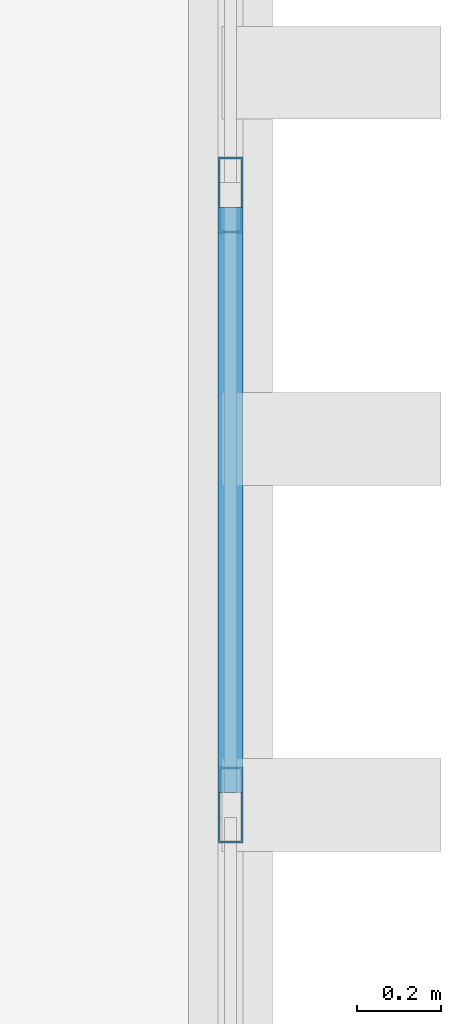
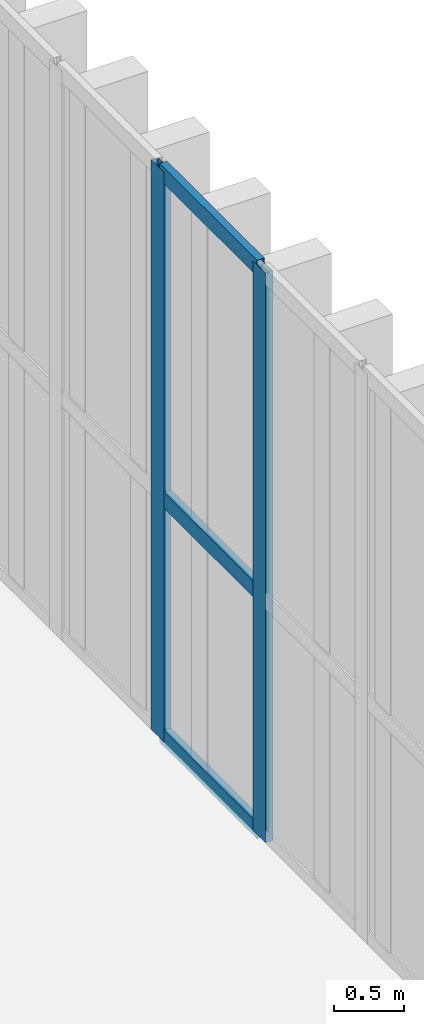
# One storey, part 135 of 211: 5 members, 1 element without a shape of its own.
"""IFC4 building model written with IfcOpenShell, lengths in metres."""

from ifc_helpers import new_model, si_unit, direction, frame, origin, origin_2d, place, context, subcontext, project, spatial, hollow_rectangle, extrude, material, layer, layer_set, material_profile, profile_set, type_object, element, aggregate, save


model = new_model("IFC4")

# Units and contexts
model_context = context("Model", 3, precision=1e-05, world=origin(), true_north=direction((0.0, 1.0)))
body_context = subcontext(model_context, "Body", "Model", "MODEL_VIEW")
ifc_project = project(units=[si_unit("LENGTHUNIT", "METRE"), si_unit("AREAUNIT", "SQUARE_METRE"), si_unit("VOLUMEUNIT", "CUBIC_METRE"), si_unit("PLANEANGLEUNIT", "RADIAN"), si_unit("MASSUNIT", "GRAM", prefix="KILO")], contexts=[model_context])

# Site, building, storey
site_placement = place(None, origin())
site = spatial("IfcSite", under=ifc_project, at=site_placement, CompositionType="ELEMENT")
building_placement = place(site_placement, origin())
building = spatial("IfcBuilding", under=site, at=building_placement, Name="Barlavento Convention Centre", CompositionType="ELEMENT")
storey_placement = place(building_placement, frame((0.0, 0.0, 6.0)))
storey = spatial("IfcBuildingStorey", under=building, at=storey_placement, Name="L01", CompositionType="ELEMENT", Elevation=6.0)

# Curtain wall, members
ifc_material_1 = material(Name="Powder-coated aluminium and Low-E glass", Category="aluminium")
ifc_layer = layer(ifc_material_1, 0.195068359375)
ifc_layer_set = layer_set([ifc_layer], Name="ARC-CW-FOY-L01")
curtain_wall_type = type_object("IfcCurtainWallType", Name="ARC-CW-FOY-L01", PredefinedType="NOTDEFINED", material=ifc_layer_set)
curtain_wall_placement = place(storey_placement, origin())
curtain_wall = element("IfcCurtainWall", 1, at=curtain_wall_placement, inside=storey, type_object=curtain_wall_type, Name="L01 unitised curtain wall CW03", PredefinedType="NOTDEFINED")
ifc_material_2 = material(Name="Powder-coated aluminium", Category="aluminium")
ifc_material_profile_1 = material_profile(ifc_material_2, hollow_rectangle(XDim=0.06005859375, YDim=0.179931640625, WallThickness=0.0048828125, at=origin_2d()), Name="AL-MULL 60x180x5")
ifc_profile_set_1 = profile_set([ifc_material_profile_1], Name="Powder-coated aluminium")
member_type_1 = type_object("IfcMemberType", Name="ARC-CWM-60X180", PredefinedType="MULLION", material=ifc_profile_set_1)
member_1_placement = place(storey_placement, frame((192.0, 125.970703125, 0.0), z_axis=(0.0, 0.0, 1.0), x_axis=(-1.0, 0.0, 0.0)))
member_1 = element("IfcMember", 2, at=member_1_placement, type_object=member_type_1, Name="CW03 mullion 7", PredefinedType="MULLION", context=body_context, shape_type="SweptSolid", body=[
    extrude(hollow_rectangle(XDim=0.06005859375, YDim=0.179931640625, WallThickness=0.0048828125, at=origin_2d()), origin(), (0.0, 0.0, 1.0), 4.949951171875),
])
member_2_placement = place(storey_placement, frame((192.0, 127.420166015625, 0.0), z_axis=(0.0, 0.0, 1.0), x_axis=(-1.0, 0.0, 0.0)))
member_2 = element("IfcMember", 3, at=member_2_placement, type_object=member_type_1, Name="CW03 mullion 8", PredefinedType="MULLION", context=body_context, shape_type="SweptSolid", body=[
    extrude(hollow_rectangle(XDim=0.06005859375, YDim=0.179931640625, WallThickness=0.0048828125, at=origin_2d()), origin(), (0.0, 0.0, 1.0), 4.949951171875),
])
ifc_material_profile_2 = material_profile(ifc_material_2, hollow_rectangle(XDim=0.06005859375, YDim=0.139892578125, WallThickness=0.00390625, at=origin_2d()), Name="AL-TRAN 60x140x4")
ifc_profile_set_2 = profile_set([ifc_material_profile_2], Name="Powder-coated aluminium")
member_type_2 = type_object("IfcMemberType", Name="ARC-CWT-60X140", PredefinedType="USERDEFINED", material=ifc_profile_set_2)
member_3_placement = place(storey_placement, frame((192.0, 126.00048828125, 0.030029296875), z_axis=(0.0, 1.0, 0.0), x_axis=(-1.0, 0.0, 0.0)))
member_3 = element("IfcMember", 4, at=member_3_placement, type_object=member_type_2, Name="CW03 transom 7.1", ObjectType="TRANSOM", PredefinedType="USERDEFINED", context=body_context, shape_type="SweptSolid", body=[
    extrude(hollow_rectangle(XDim=0.06005859375, YDim=0.139892578125, WallThickness=0.00390625, at=origin_2d()), origin(), (0.0, 0.0, 1.0), 1.3896484375),
])
member_4_placement = place(storey_placement, frame((192.0, 126.00048828125, 2.10009765625), z_axis=(0.0, 1.0, 0.0), x_axis=(-1.0, 0.0, 0.0)))
member_4 = element("IfcMember", 5, at=member_4_placement, type_object=member_type_2, Name="CW03 transom 7.2", ObjectType="TRANSOM", PredefinedType="USERDEFINED", context=body_context, shape_type="SweptSolid", body=[
    extrude(hollow_rectangle(XDim=0.06005859375, YDim=0.139892578125, WallThickness=0.00390625, at=origin_2d()), origin(), (0.0, 0.0, 1.0), 1.3896484375),
])
member_5_placement = place(storey_placement, frame((192.0, 126.00048828125, 4.919921875), z_axis=(0.0, 1.0, 0.0), x_axis=(-1.0, 0.0, 0.0)))
member_5 = element("IfcMember", 6, at=member_5_placement, type_object=member_type_2, Name="CW03 transom 7.3", ObjectType="TRANSOM", PredefinedType="USERDEFINED", context=body_context, shape_type="SweptSolid", body=[
    extrude(hollow_rectangle(XDim=0.06005859375, YDim=0.139892578125, WallThickness=0.00390625, at=origin_2d()), origin(), (0.0, 0.0, 1.0), 1.3896484375),
])
aggregate(curtain_wall, [member_1, member_2, member_3, member_4, member_5])

save(model, "model.ifc")
